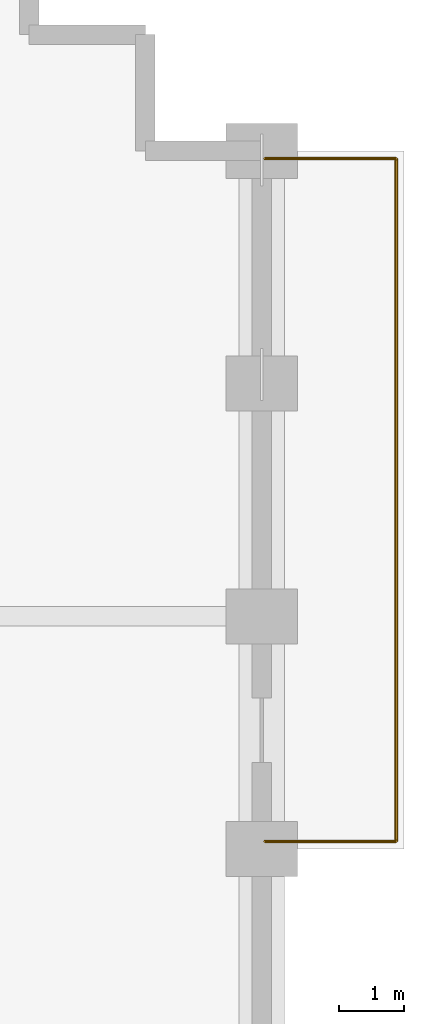
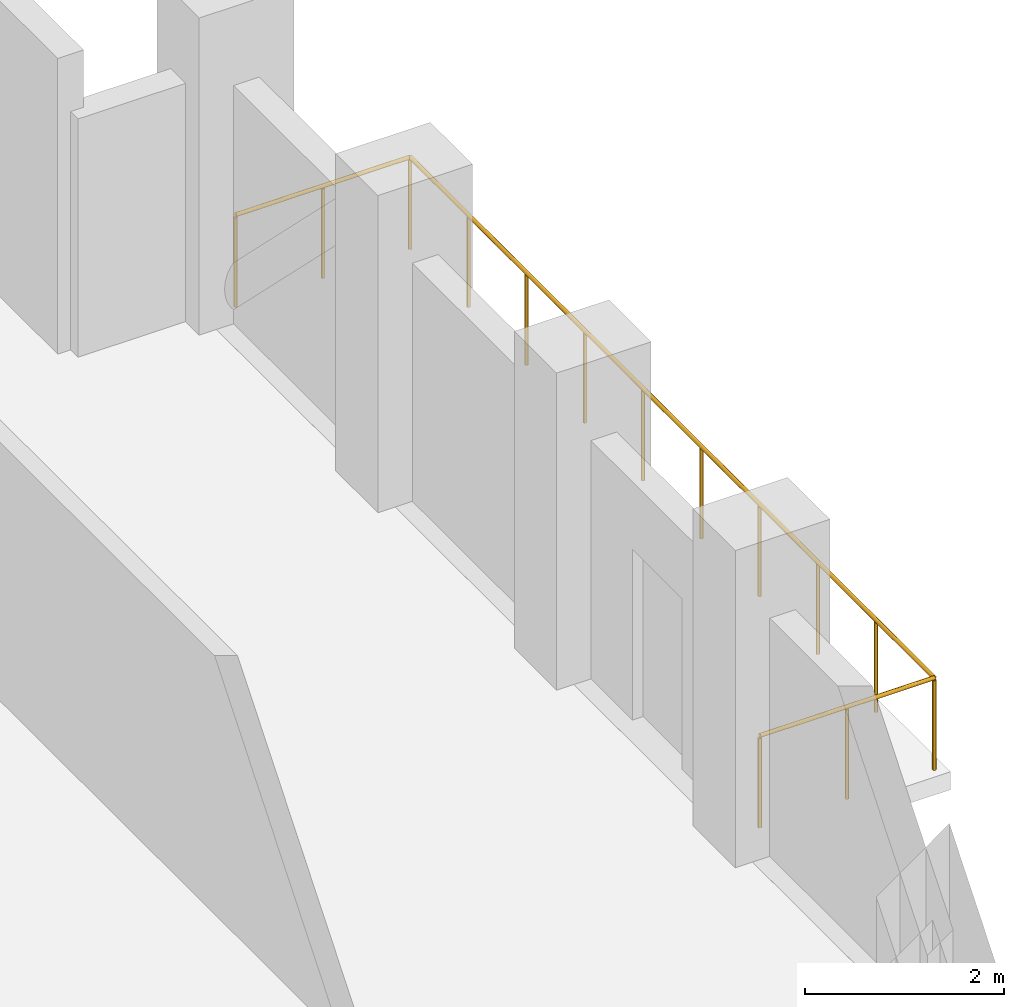
# One storey, part 11 of 11: 3 railings.
"""IFC4 building model written with IfcOpenShell, lengths in metres."""

from ifc_helpers import new_model, si_unit, direction, frame, origin, origin_2d, place, context, subcontext, project, spatial, circle, extrude, material, type_object, element, save


model = new_model("IFC4")

# Units and contexts
model_context = context("Model", 3, precision=1e-05, world=origin(), true_north=direction((0.0, 1.0)))
body_context = subcontext(model_context, "Body", "Model", "MODEL_VIEW")
ifc_project = project(units=[si_unit("LENGTHUNIT", "METRE"), si_unit("AREAUNIT", "SQUARE_METRE"), si_unit("VOLUMEUNIT", "CUBIC_METRE"), si_unit("PLANEANGLEUNIT", "RADIAN"), si_unit("MASSUNIT", "GRAM", prefix="KILO")], contexts=[model_context])

# Site, building, storey
site_placement = place(None, origin())
site = spatial("IfcSite", under=ifc_project, at=site_placement, CompositionType="ELEMENT")
building_placement = place(site_placement, origin())
building = spatial("IfcBuilding", under=site, at=building_placement, Name="Solnavia Interchange Tower", CompositionType="ELEMENT")
storey_placement = place(building_placement, frame((0.0, 0.0, 99.60009765625)))
storey = spatial("IfcBuildingStorey", under=building, at=storey_placement, Name="L24", CompositionType="ELEMENT", Elevation=99.60009765625)

# Railings
ifc_material = material(Name="Laminated Safety Glass & Stainless Steel", Category="steel")
railing_type = type_object("IfcRailingType", Name="Railing-TerraceGuard-1150", PredefinedType="GUARDRAIL", material=ifc_material)
railing_1_placement = place(storey_placement, frame((57.64990234375, 10.919921875, -0.0400390625)))
element("IfcRailing", 1, at=railing_1_placement, inside=storey, type_object=railing_type, Name="GRD-L24-TER-01 Perimeter terrace guardrail", PredefinedType="GUARDRAIL", context=body_context, shape_type="SweptSolid", body=[
    extrude(circle(Radius=0.02392578125, at=origin_2d()), frame((0.0, 0.0, 1.1259765625), z_axis=(1.0, 0.0, 0.0), x_axis=(0.0, 1.0, 0.0)), (0.0, 0.0, 1.0), 2.030029296875),
    extrude(circle(Radius=0.02099609375, at=origin_2d()), origin(), (0.0, 0.0, 1.0), 1.101806640625),
    extrude(circle(Radius=0.02099609375, at=origin_2d()), frame((1.01513671875, 0.0, 0.0)), (0.0, 0.0, 1.0), 1.101806640625),
    extrude(circle(Radius=0.02099609375, at=origin_2d()), frame((2.030029296875, 0.0, 0.0)), (0.0, 0.0, 1.0), 1.101806640625),
])
railing_2_placement = place(storey_placement, frame((59.679931640625, 10.919921875, -0.0400390625)))
element("IfcRailing", 2, at=railing_2_placement, inside=storey, type_object=railing_type, Name="GRD-L24-TER-02 Perimeter terrace guardrail", PredefinedType="GUARDRAIL", context=body_context, shape_type="SweptSolid", body=[
    extrude(circle(Radius=0.02392578125, at=origin_2d()), frame((0.0, 0.0, 1.1259765625), z_axis=(0.0, 1.0, 0.0), x_axis=(-1.0, 0.0, 0.0)), (0.0, 0.0, 1.0), 10.56005859375),
    extrude(circle(Radius=0.02099609375, at=origin_2d()), origin(), (0.0, 0.0, 1.0), 1.101806640625),
    extrude(circle(Radius=0.02099609375, at=origin_2d()), frame((0.0, 1.17333984375, 0.0)), (0.0, 0.0, 1.0), 1.101806640625),
    extrude(circle(Radius=0.02099609375, at=origin_2d()), frame((0.0, 2.3466796875, 0.0)), (0.0, 0.0, 1.0), 1.101806640625),
    extrude(circle(Radius=0.02099609375, at=origin_2d()), frame((0.0, 3.52001953125, 0.0)), (0.0, 0.0, 1.0), 1.101806640625),
    extrude(circle(Radius=0.02099609375, at=origin_2d()), frame((0.0, 4.693359375, 0.0)), (0.0, 0.0, 1.0), 1.101806640625),
    extrude(circle(Radius=0.02099609375, at=origin_2d()), frame((0.0, 5.86669921875, 0.0)), (0.0, 0.0, 1.0), 1.101806640625),
    extrude(circle(Radius=0.02099609375, at=origin_2d()), frame((0.0, 7.0400390625, 0.0)), (0.0, 0.0, 1.0), 1.101806640625),
    extrude(circle(Radius=0.02099609375, at=origin_2d()), frame((0.0, 8.21337890625, 0.0)), (0.0, 0.0, 1.0), 1.101806640625),
    extrude(circle(Radius=0.02099609375, at=origin_2d()), frame((0.0, 9.38671875, 0.0)), (0.0, 0.0, 1.0), 1.101806640625),
    extrude(circle(Radius=0.02099609375, at=origin_2d()), frame((0.0, 10.56005859375, 0.0)), (0.0, 0.0, 1.0), 1.101806640625),
])
railing_3_placement = place(storey_placement, frame((59.679931640625, 21.47998046875, -0.0400390625)))
element("IfcRailing", 3, at=railing_3_placement, inside=storey, type_object=railing_type, Name="GRD-L24-TER-03 Perimeter terrace guardrail", PredefinedType="GUARDRAIL", context=body_context, shape_type="SweptSolid", body=[
    extrude(circle(Radius=0.02392578125, at=origin_2d()), frame((0.0, 0.0, 1.1259765625), z_axis=(-1.0, 0.0, 0.0), x_axis=(0.0, -1.0, 0.0)), (0.0, 0.0, 1.0), 2.030029296875),
    extrude(circle(Radius=0.02099609375, at=origin_2d()), origin(), (0.0, 0.0, 1.0), 1.101806640625),
    extrude(circle(Radius=0.02099609375, at=origin_2d()), frame((-1.01513671875, 0.0, 0.0)), (0.0, 0.0, 1.0), 1.101806640625),
    extrude(circle(Radius=0.02099609375, at=origin_2d()), frame((-2.030029296875, 0.0, 0.0)), (0.0, 0.0, 1.0), 1.101806640625),
])

save(model, "model.ifc")
